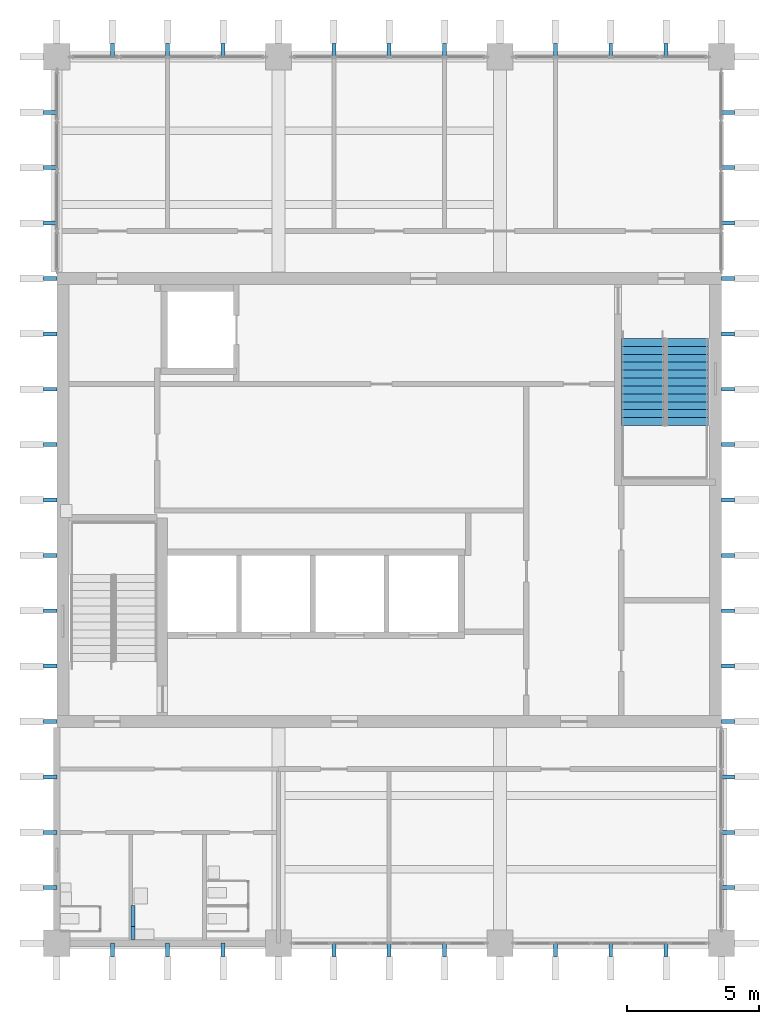
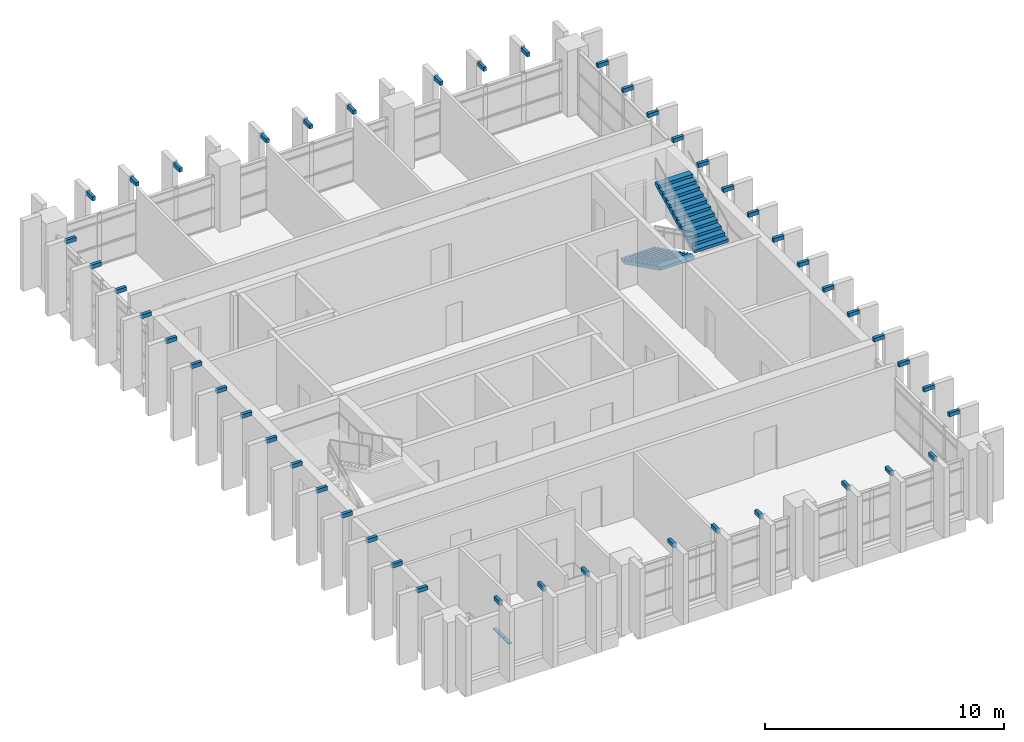
# One storey, part 9 of 11: 50 discrete accessories, 2 stair flights, 1 element without a shape of its own.
"""IFC4 building model written with IfcOpenShell, lengths in metres."""

from ifc_helpers import new_model, si_unit, direction, frame, origin, origin_2d, place, context, subcontext, project, spatial, polyline, rectangle, outline, extrude, material, type_object, element, aggregate, save


model = new_model("IFC4")

# Units and contexts
model_context = context("Model", 3, precision=1e-05, world=origin(), true_north=direction((0.0, 1.0)))
body_context = subcontext(model_context, "Body", "Model", "MODEL_VIEW")
ifc_project = project(units=[si_unit("LENGTHUNIT", "METRE"), si_unit("AREAUNIT", "SQUARE_METRE"), si_unit("VOLUMEUNIT", "CUBIC_METRE"), si_unit("PLANEANGLEUNIT", "RADIAN"), si_unit("MASSUNIT", "GRAM", prefix="KILO")], contexts=[model_context])

# Site, building, storey
site_placement = place(None, origin())
site = spatial("IfcSite", under=ifc_project, at=site_placement, CompositionType="ELEMENT")
building_placement = place(site_placement, origin())
building = spatial("IfcBuilding", under=site, at=building_placement, Name="Rulbaag Community and Learning Centre", CompositionType="ELEMENT")
storey_placement = place(building_placement, frame((0.0, 0.0, 18.0)))
storey = spatial("IfcBuildingStorey", under=building, at=storey_placement, Name="L04", CompositionType="ELEMENT", Elevation=18.0)

# Stair, stair flights
ifc_material_1 = material(Name="Concrete M40", Category="concrete")
stair_type = type_object("IfcStairType", Name="ST-1650 STAIR 1650 WIDE", PredefinedType="HALF_TURN_STAIR", material=ifc_material_1)
stair_placement = place(storey_placement, origin())
stair = element("IfcStair", 1, at=stair_placement, inside=storey, type_object=stair_type, Name="Stair ST2 L04", PredefinedType="HALF_TURN_STAIR")
stair_flight_type = type_object("IfcStairFlightType", Name="FL-1650 FLIGHT 1650 WIDE Concrete M40", PredefinedType="STRAIGHT", material=ifc_material_1)
stair_flight_1_placement = place(storey_placement, frame((165.02490234375, 106.925048828125, 0.0), z_axis=(0.0, 0.0, 1.0), x_axis=(0.0, -1.0, 0.0)))
stair_flight_1 = element("IfcStairFlight", 2, at=stair_flight_1_placement, type_object=stair_flight_type, Name="ST2 flight 1", NumberOfRisers=12, NumberOfTreads=11, PredefinedType="STRAIGHT", RiserHeight=0.15, TreadLength=0.3, context=body_context, shape_type="SweptSolid", body=[
    extrude(outline(polyline([(0.0, 0.0), (0.0, 0.14990234375), (0.300048828125, 0.14990234375), (0.300048828125, 0.300048828125), (0.60009765625, 0.300048828125), (0.60009765625, 0.449951171875), (0.89990234375, 0.449951171875), (0.89990234375, 0.60009765625), (1.199951171875, 0.60009765625), (1.199951171875, 0.75), (1.5, 0.75), (1.5, 0.89990234375), (1.800048828125, 0.89990234375), (1.800048828125, 1.050048828125), (2.10009765625, 1.050048828125), (2.10009765625, 1.199951171875), (2.39990234375, 1.199951171875), (2.39990234375, 1.35009765625), (2.699951171875, 1.35009765625), (2.699951171875, 1.5), (3.0, 1.5), (3.0, 1.64990234375), (3.300048828125, 1.64990234375), (3.300048828125, 1.49365234375), (0.312744140625, 0.0), (0.0, 0.0)])), frame((0.0, 0.824951171875, 0.0), z_axis=(0.0, -1.0, 0.0), x_axis=(1.0, 0.0, 0.0)), (0.0, 0.0, 1.0), 1.64990234375),
])
stair_flight_2_placement = place(storey_placement, frame((166.675048828125, 103.625, 1.800048828125), z_axis=(0.0, 0.0, 1.0), x_axis=(0.0, 1.0, 0.0)))
stair_flight_2 = element("IfcStairFlight", 3, at=stair_flight_2_placement, type_object=stair_flight_type, Name="ST2 flight 2", NumberOfRisers=12, NumberOfTreads=11, PredefinedType="STRAIGHT", RiserHeight=0.15, TreadLength=0.3, context=body_context, shape_type="SweptSolid", body=[
    extrude(outline(polyline([(0.0, 0.0), (0.0, 0.14990234375), (0.300048828125, 0.14990234375), (0.300048828125, 0.300048828125), (0.60009765625, 0.300048828125), (0.60009765625, 0.449951171875), (0.89990234375, 0.449951171875), (0.89990234375, 0.60009765625), (1.199951171875, 0.60009765625), (1.199951171875, 0.75), (1.5, 0.75), (1.5, 0.89990234375), (1.800048828125, 0.89990234375), (1.800048828125, 1.050048828125), (2.10009765625, 1.050048828125), (2.10009765625, 1.199951171875), (2.39990234375, 1.199951171875), (2.39990234375, 1.35009765625), (2.699951171875, 1.35009765625), (2.699951171875, 1.5), (3.0, 1.5), (3.0, 1.64990234375), (3.300048828125, 1.64990234375), (3.300048828125, 1.49365234375), (0.312744140625, 0.0), (0.0, 0.0)])), frame((0.0, 0.824951171875, 0.0), z_axis=(0.0, -1.0, 0.0), x_axis=(1.0, 0.0, 0.0)), (0.0, 0.0, 1.0), 1.64990234375),
])
aggregate(stair, [stair_flight_1, stair_flight_2])

# Discrete accessories
ifc_material_2 = material(Name="Steel E350", Category="steel")
discrete_accessory_type_1 = type_object("IfcDiscreteAccessoryType", Name="BR-FN", PredefinedType="BRACKET", material=ifc_material_2)
for number, where, z_axis, x_axis, name in (
    (4, (144.89990234375, 83.75, 3.35009765625), (0.0, 0.0, 1.0), (1.0, 0.0, 0.0), "Fin arm"),
    (5, (147.0, 83.75, 3.35009765625), (0.0, 0.0, 1.0), (1.0, 0.0, 0.0), "Fin arm"),
    (6, (149.10009765625, 83.75, 3.35009765625), (0.0, 0.0, 1.0), (1.0, 0.0, 0.0), "Fin arm"),
    (7, (153.300048828125, 83.75, 3.35009765625), (0.0, 0.0, 1.0), (1.0, 0.0, 0.0), "Fin arm"),
    (8, (155.39990234375, 83.75, 3.35009765625), (0.0, 0.0, 1.0), (1.0, 0.0, 0.0), "Fin arm"),
    (9, (157.5, 83.75, 3.35009765625), (0.0, 0.0, 1.0), (1.0, 0.0, 0.0), "Fin arm"),
    (10, (161.699951171875, 83.75, 3.35009765625), (0.0, 0.0, 1.0), (1.0, 0.0, 0.0), "Fin arm"),
    (11, (163.800048828125, 83.75, 3.35009765625), (0.0, 0.0, 1.0), (1.0, 0.0, 0.0), "Fin arm"),
    (12, (165.89990234375, 83.75, 3.35009765625), (0.0, 0.0, 1.0), (1.0, 0.0, 0.0), "Fin arm"),
    (13, (144.89990234375, 117.85009765625, 3.35009765625), (0.0, 0.0, 1.0), (1.0, 0.0, 0.0), "Fin arm"),
    (14, (147.0, 117.85009765625, 3.35009765625), (0.0, 0.0, 1.0), (1.0, 0.0, 0.0), "Fin arm"),
    (15, (149.10009765625, 117.85009765625, 3.35009765625), (0.0, 0.0, 1.0), (1.0, 0.0, 0.0), "Fin arm"),
    (16, (153.300048828125, 117.85009765625, 3.35009765625), (0.0, 0.0, 1.0), (1.0, 0.0, 0.0), "Fin arm"),
    (17, (155.39990234375, 117.85009765625, 3.35009765625), (0.0, 0.0, 1.0), (1.0, 0.0, 0.0), "Fin arm"),
    (18, (157.5, 117.85009765625, 3.35009765625), (0.0, 0.0, 1.0), (1.0, 0.0, 0.0), "Fin arm"),
    (19, (161.699951171875, 117.85009765625, 3.35009765625), (0.0, 0.0, 1.0), (1.0, 0.0, 0.0), "Fin arm"),
    (20, (163.800048828125, 117.85009765625, 3.35009765625), (0.0, 0.0, 1.0), (1.0, 0.0, 0.0), "Fin arm"),
    (21, (165.89990234375, 117.85009765625, 3.35009765625), (0.0, 0.0, 1.0), (1.0, 0.0, 0.0), "Fin arm"),
):
    element("IfcDiscreteAccessory", number, at=place(storey_placement, frame(where, z_axis=z_axis, x_axis=x_axis)), inside=storey, type_object=discrete_accessory_type_1, Name=name, PredefinedType="BRACKET", context=body_context, shape_type="SweptSolid", body=[
        extrude(rectangle(XDim=0.14990234375, YDim=0.5, at=origin_2d()), origin(), (0.0, 0.0, 1.0), 0.199951171875),
    ])
for number, where, z_axis, x_axis, name in (
    (22, (142.550048828125, 86.10009765625, 3.35009765625), (0.0, 0.0, 1.0), (1.0, 0.0, 0.0), "Fin arm"),
    (23, (142.550048828125, 88.199951171875, 3.35009765625), (0.0, 0.0, 1.0), (1.0, 0.0, 0.0), "Fin arm"),
    (24, (142.550048828125, 90.300048828125, 3.35009765625), (0.0, 0.0, 1.0), (1.0, 0.0, 0.0), "Fin arm"),
    (25, (142.550048828125, 92.39990234375, 3.35009765625), (0.0, 0.0, 1.0), (1.0, 0.0, 0.0), "Fin arm"),
    (26, (142.550048828125, 94.5, 3.35009765625), (0.0, 0.0, 1.0), (1.0, 0.0, 0.0), "Fin arm"),
    (27, (142.550048828125, 96.60009765625, 3.35009765625), (0.0, 0.0, 1.0), (1.0, 0.0, 0.0), "Fin arm"),
    (28, (142.550048828125, 98.699951171875, 3.35009765625), (0.0, 0.0, 1.0), (1.0, 0.0, 0.0), "Fin arm"),
    (29, (142.550048828125, 100.800048828125, 3.35009765625), (0.0, 0.0, 1.0), (1.0, 0.0, 0.0), "Fin arm"),
    (30, (142.550048828125, 102.89990234375, 3.35009765625), (0.0, 0.0, 1.0), (1.0, 0.0, 0.0), "Fin arm"),
    (31, (142.550048828125, 105.0, 3.35009765625), (0.0, 0.0, 1.0), (1.0, 0.0, 0.0), "Fin arm"),
    (32, (142.550048828125, 107.10009765625, 3.35009765625), (0.0, 0.0, 1.0), (1.0, 0.0, 0.0), "Fin arm"),
    (33, (142.550048828125, 109.199951171875, 3.35009765625), (0.0, 0.0, 1.0), (1.0, 0.0, 0.0), "Fin arm"),
    (34, (142.550048828125, 111.300048828125, 3.35009765625), (0.0, 0.0, 1.0), (1.0, 0.0, 0.0), "Fin arm"),
    (35, (142.550048828125, 113.39990234375, 3.35009765625), (0.0, 0.0, 1.0), (1.0, 0.0, 0.0), "Fin arm"),
    (36, (142.550048828125, 115.5, 3.35009765625), (0.0, 0.0, 1.0), (1.0, 0.0, 0.0), "Fin arm"),
    (37, (168.25, 86.10009765625, 3.35009765625), (0.0, 0.0, 1.0), (1.0, 0.0, 0.0), "Fin arm"),
    (38, (168.25, 88.199951171875, 3.35009765625), (0.0, 0.0, 1.0), (1.0, 0.0, 0.0), "Fin arm"),
    (39, (168.25, 90.300048828125, 3.35009765625), (0.0, 0.0, 1.0), (1.0, 0.0, 0.0), "Fin arm"),
    (40, (168.25, 92.39990234375, 3.35009765625), (0.0, 0.0, 1.0), (1.0, 0.0, 0.0), "Fin arm"),
    (41, (168.25, 94.5, 3.35009765625), (0.0, 0.0, 1.0), (1.0, 0.0, 0.0), "Fin arm"),
    (42, (168.25, 96.60009765625, 3.35009765625), (0.0, 0.0, 1.0), (1.0, 0.0, 0.0), "Fin arm"),
    (43, (168.25, 98.699951171875, 3.35009765625), (0.0, 0.0, 1.0), (1.0, 0.0, 0.0), "Fin arm"),
    (44, (168.25, 100.800048828125, 3.35009765625), (0.0, 0.0, 1.0), (1.0, 0.0, 0.0), "Fin arm"),
    (45, (168.25, 102.89990234375, 3.35009765625), (0.0, 0.0, 1.0), (1.0, 0.0, 0.0), "Fin arm"),
    (46, (168.25, 105.0, 3.35009765625), (0.0, 0.0, 1.0), (1.0, 0.0, 0.0), "Fin arm"),
    (47, (168.25, 107.10009765625, 3.35009765625), (0.0, 0.0, 1.0), (1.0, 0.0, 0.0), "Fin arm"),
    (48, (168.25, 109.199951171875, 3.35009765625), (0.0, 0.0, 1.0), (1.0, 0.0, 0.0), "Fin arm"),
    (49, (168.25, 111.300048828125, 3.35009765625), (0.0, 0.0, 1.0), (1.0, 0.0, 0.0), "Fin arm"),
    (50, (168.25, 113.39990234375, 3.35009765625), (0.0, 0.0, 1.0), (1.0, 0.0, 0.0), "Fin arm"),
    (51, (168.25, 115.5, 3.35009765625), (0.0, 0.0, 1.0), (1.0, 0.0, 0.0), "Fin arm"),
):
    element("IfcDiscreteAccessory", number, at=place(storey_placement, frame(where, z_axis=z_axis, x_axis=x_axis)), inside=storey, type_object=discrete_accessory_type_1, Name=name, PredefinedType="BRACKET", context=body_context, shape_type="SweptSolid", body=[
        extrude(rectangle(XDim=0.5, YDim=0.14990234375, at=origin_2d()), origin(), (0.0, 0.0, 1.0), 0.199951171875),
    ])
ifc_material_3 = material(Name="Stainless steel grade 316", Category="steel")
discrete_accessory_type_2 = type_object("IfcDiscreteAccessoryType", Name="GR-800", PredefinedType="USERDEFINED", material=ifc_material_3)
for number, where, z_axis, x_axis, name in (
    (52, (145.68505859375, 84.530029296875, 0.72998046875), (0.0, 0.0, 1.0), (1.0, 0.0, 0.0), "Grab rail"),
    (53, (145.68505859375, 85.030029296875, 0.72998046875), (0.0, 0.0, 1.0), (1.0, 0.0, 0.0), "Grab rail"),
):
    element("IfcDiscreteAccessory", number, at=place(storey_placement, frame(where, z_axis=z_axis, x_axis=x_axis)), inside=storey, type_object=discrete_accessory_type_2, Name=name, ObjectType="GRAB RAIL", PredefinedType="USERDEFINED", context=body_context, shape_type="SweptSolid", body=[
        extrude(rectangle(XDim=0.169921875, YDim=0.800048828125, at=origin_2d()), origin(), (0.0, 0.0, 1.0), 0.0400390625),
    ])

save(model, "model.ifc")
